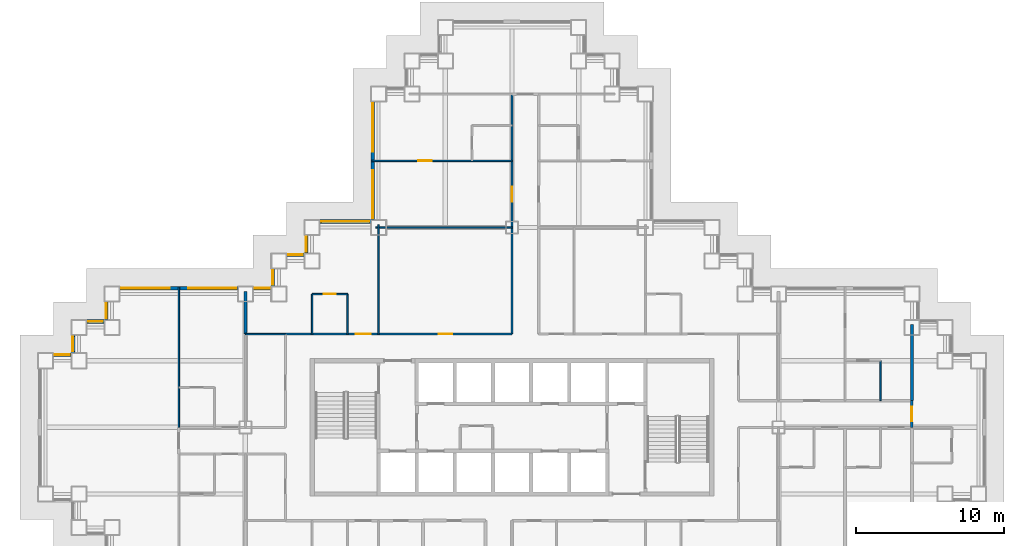
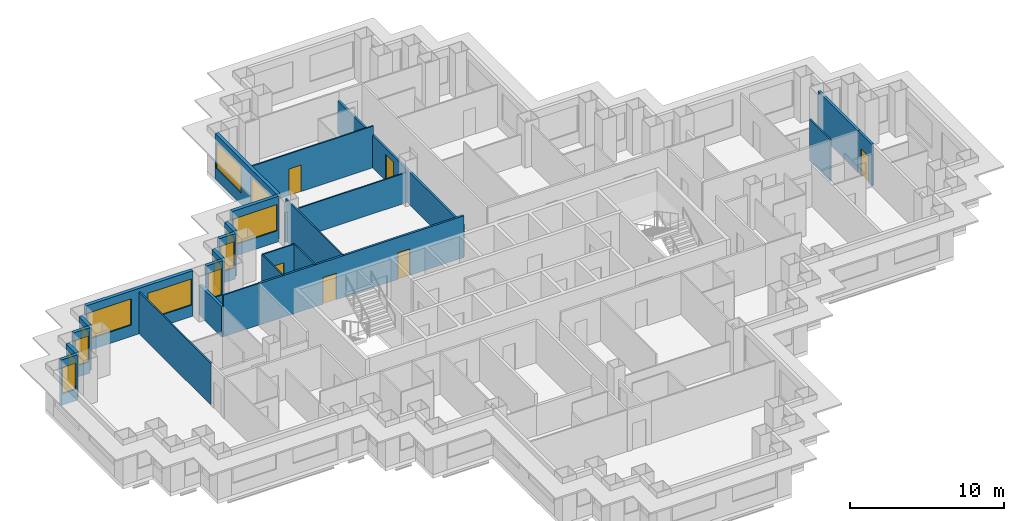
# One storey, part 7 of 14: 25 walls, 13 windows, 6 doors, 19 openings.
"""IFC4 building model written with IfcOpenShell, lengths in metres."""

from ifc_helpers import new_model, si_unit, direction, frame, frame_2d, origin, place, context, subcontext, project, spatial, rectangle, extrude, material, layer, layer_set, type_object, element, fill, save


model = new_model("IFC4")

# Units and contexts
model_context = context("Model", 3, precision=1e-05, world=origin(), true_north=direction((0.0, 1.0)))
body_context = subcontext(model_context, "Body", "Model", "MODEL_VIEW")
ifc_project = project(units=[si_unit("LENGTHUNIT", "METRE"), si_unit("AREAUNIT", "SQUARE_METRE"), si_unit("VOLUMEUNIT", "CUBIC_METRE"), si_unit("PLANEANGLEUNIT", "RADIAN"), si_unit("MASSUNIT", "GRAM", prefix="KILO")], contexts=[model_context])

# Site, building, storey
site_placement = place(None, origin())
site = spatial("IfcSite", under=ifc_project, at=site_placement, CompositionType="ELEMENT")
building_placement = place(site_placement, origin())
building = spatial("IfcBuilding", under=site, at=building_placement, Name="Caravel Reach Hotel and Residences", CompositionType="ELEMENT")
storey_placement = place(building_placement, frame((0.0, 0.0, 37.199951171875)))
storey = spatial("IfcBuildingStorey", under=building, at=storey_placement, Name="L07", CompositionType="ELEMENT", Elevation=37.199951171875)

# Wall, opening, door
ifc_material_1 = material(Name="Gypsum board on steel stud", Category="steel")
ifc_layer_1 = layer(ifc_material_1, 0.10009765625)
ifc_layer_set_1 = layer_set([ifc_layer_1], Name="Bathroom pod wall 100 mm")
wall_type_1 = type_object("IfcWallType", Name="Bathroom pod wall 100 mm", PredefinedType="PARTITIONING", material=ifc_layer_set_1)
wall_1_placement = place(storey_placement, frame((18.0, 36.0, 0.0), z_axis=(0.0, 0.0, 1.0), x_axis=(1.0, 0.0, 0.0)))
wall_1 = element("IfcWall", 1, at=wall_1_placement, inside=storey, type_object=wall_type_1, Name="L07 wall w085", PredefinedType="PARTITIONING", context=body_context, shape_type="SweptSolid", body=[
    extrude(rectangle(XDim=2.39990234375, YDim=0.10009765625, at=frame_2d((1.199951171875, 0.0))), origin(), (0.0, 0.0, 1.0), 3.300048828125),
])
opening_1_placement = place(wall_1_placement, frame((0.800048828125, 0.0, 0.0)))
opening_1 = element("IfcOpeningElement", 2, at=opening_1_placement, cuts=wall_1, Name="Opening D07-042", PredefinedType="OPENING", context=body_context, shape_type="SweptSolid", body=[
    extrude(rectangle(XDim=0.800048828125, YDim=2.10009765625, at=frame_2d((0.39990234375, 1.050048828125))), frame((0.0, 0.06005859375, 0.0), z_axis=(0.0, -1.0, 0.0), x_axis=(1.0, 0.0, 0.0)), (0.0, 0.0, 1.0), 0.1201171875),
])
ifc_material_2 = material(Name="Timber and steel door leaf", Category="steel")
door_type_1 = type_object("IfcDoorType", Name="Bathroom door 800 x 2100", OperationType="SINGLE_SWING_LEFT", PredefinedType="DOOR", material=ifc_material_2)
door_1_placement = place(opening_1_placement, origin())
door_1 = element("IfcDoor", 3, at=door_1_placement, inside=storey, type_object=door_type_1, Name="door D07-042", OperationType="SINGLE_SWING_LEFT", OverallHeight=2.10009765625, OverallWidth=0.800048828125, PredefinedType="DOOR", context=body_context, shape_type="SweptSolid", body=[
    extrude(rectangle(XDim=0.800048828125, YDim=2.10009765625, at=frame_2d((0.39990234375, 1.050048828125))), frame((0.0, 0.02490234375, 0.0), z_axis=(0.0, -1.0, 0.0), x_axis=(1.0, 0.0, 0.0)), (0.0, 0.0, 1.0), 0.050048828125),
])
fill(opening_1, door_1)

# Walls
for number, where, z_axis, x_axis, name in (
    (4, (18.0, 33.300048828125, 0.0), (0.0, 0.0, 1.0), (0.0, 1.0, 0.0), "L07 wall w091"),
    (5, (20.39990234375, 33.300048828125, 0.0), (0.0, 0.0, 1.0), (0.0, 1.0, 0.0), "L07 wall w093"),
    (6, (56.39990234375, 28.800048828125, 0.0), (0.0, 0.0, 1.0), (0.0, 1.0, 0.0), "L07 wall w103"),
):
    element("IfcWall", number, at=place(storey_placement, frame(where, z_axis=z_axis, x_axis=x_axis)), inside=storey, type_object=wall_type_1, Name=name, PredefinedType="PARTITIONING", context=body_context, shape_type="SweptSolid", body=[
        extrude(rectangle(XDim=2.699951171875, YDim=0.10009765625, at=frame_2d((1.35009765625, 0.0))), origin(), (0.0, 0.0, 1.0), 3.300048828125),
    ])

# Wall, openings, doors
ifc_material_3 = material(Name="Gypsum board on steel stud, fire-rated", Category="steel")
ifc_layer_2 = layer(ifc_material_3, 0.14990234375)
ifc_layer_set_2 = layer_set([ifc_layer_2], Name="Corridor wall 150 mm EI 60")
wall_type_2 = type_object("IfcWallType", Name="Corridor wall 150 mm EI 60", PredefinedType="PARTITIONING", material=ifc_layer_set_2)
wall_2_placement = place(storey_placement, frame((16.199951171875, 33.300048828125, 0.0), z_axis=(0.0, 0.0, 1.0), x_axis=(1.0, 0.0, 0.0)))
wall_2 = element("IfcWall", 7, at=wall_2_placement, inside=storey, type_object=wall_type_2, Name="L07 wall w016", PredefinedType="PARTITIONING", context=body_context, shape_type="SweptSolid", body=[
    extrude(rectangle(XDim=15.300048828125, YDim=0.14990234375, at=frame_2d((7.64990234375, 0.0))), origin(), (0.0, 0.0, 1.0), 3.300048828125),
])
opening_2_placement = place(wall_2_placement, frame((4.75, 0.0, 0.0)))
opening_2 = element("IfcOpeningElement", 8, at=opening_2_placement, cuts=wall_2, Name="Opening D07-041", PredefinedType="OPENING", context=body_context, shape_type="SweptSolid", body=[
    extrude(rectangle(XDim=1.0, YDim=2.10009765625, at=frame_2d((0.5, 1.050048828125))), frame((0.0, 0.0849609375, 0.0), z_axis=(0.0, -1.0, 0.0), x_axis=(1.0, 0.0, 0.0)), (0.0, 0.0, 1.0), 0.169921875),
])
opening_3_placement = place(wall_2_placement, frame((10.35009765625, 0.0, 0.0)))
opening_3 = element("IfcOpeningElement", 9, at=opening_3_placement, cuts=wall_2, Name="Opening D07-049", PredefinedType="OPENING", context=body_context, shape_type="SweptSolid", body=[
    extrude(rectangle(XDim=0.89990234375, YDim=2.10009765625, at=frame_2d((0.449951171875, 1.050048828125))), frame((0.0, 0.0849609375, 0.0), z_axis=(0.0, -1.0, 0.0), x_axis=(1.0, 0.0, 0.0)), (0.0, 0.0, 1.0), 0.169921875),
])
ifc_material_4 = material(Name="Timber and steel door leaf", Category="steel")
door_type_2 = type_object("IfcDoorType", Name="Door 900 x 2100 timber", OperationType="SINGLE_SWING_LEFT", PredefinedType="DOOR", material=ifc_material_4)
door_2_placement = place(opening_3_placement, origin())
door_2 = element("IfcDoor", 10, at=door_2_placement, inside=storey, type_object=door_type_2, Name="door D07-049", OperationType="SINGLE_SWING_LEFT", OverallHeight=2.10009765625, OverallWidth=0.89990234375, PredefinedType="DOOR", context=body_context, shape_type="SweptSolid", body=[
    extrude(rectangle(XDim=0.89990234375, YDim=2.10009765625, at=frame_2d((0.449951171875, 1.050048828125))), frame((0.0, 0.02490234375, 0.0), z_axis=(0.0, -1.0, 0.0), x_axis=(1.0, 0.0, 0.0)), (0.0, 0.0, 1.0), 0.050048828125),
])
fill(opening_3, door_2)
ifc_material_5 = material(Name="Steel fire door leaf", Category="steel")
door_type_3 = type_object("IfcDoorType", Name="Guest room door 1000 x 2100 EI 30", OperationType="SINGLE_SWING_LEFT", PredefinedType="DOOR", material=ifc_material_5)
door_3_placement = place(opening_2_placement, origin())
door_3 = element("IfcDoor", 11, at=door_3_placement, inside=storey, type_object=door_type_3, Name="door D07-041", OperationType="SINGLE_SWING_RIGHT", OverallHeight=2.10009765625, OverallWidth=1.0, PredefinedType="DOOR", context=body_context, shape_type="SweptSolid", body=[
    extrude(rectangle(XDim=1.0, YDim=2.10009765625, at=frame_2d((0.5, 1.050048828125))), frame((0.0, 0.02490234375, 0.0), z_axis=(0.0, -1.0, 0.0), x_axis=(1.0, 0.0, 0.0)), (0.0, 0.0, 1.0), 0.050048828125),
])
fill(opening_2, door_3)

# Wall, opening, door
wall_3_placement = place(storey_placement, frame((31.5, 33.300048828125, 0.0), z_axis=(0.0, 0.0, 1.0), x_axis=(0.0, 1.0, 0.0)))
wall_3 = element("IfcWall", 12, at=wall_3_placement, inside=storey, type_object=wall_type_2, Name="L07 wall w027", PredefinedType="PARTITIONING", context=body_context, shape_type="SweptSolid", body=[
    extrude(rectangle(XDim=16.199951171875, YDim=0.14990234375, at=frame_2d((8.10009765625, 0.0))), origin(), (0.0, 0.0, 1.0), 2.580078125),
])
opening_4_placement = place(wall_3_placement, frame((8.949951171875, 0.0, 0.0)))
opening_4 = element("IfcOpeningElement", 13, at=opening_4_placement, cuts=wall_3, Name="Opening D07-026", PredefinedType="OPENING", context=body_context, shape_type="SweptSolid", body=[
    extrude(rectangle(XDim=1.0, YDim=2.10009765625, at=frame_2d((0.5, 1.050048828125))), frame((0.0, 0.0849609375, 0.0), z_axis=(0.0, -1.0, 0.0), x_axis=(1.0, 0.0, 0.0)), (0.0, 0.0, 1.0), 0.169921875),
])
door_4_placement = place(opening_4_placement, origin())
door_4 = element("IfcDoor", 14, at=door_4_placement, inside=storey, type_object=door_type_3, Name="door D07-026", OperationType="SINGLE_SWING_LEFT", OverallHeight=2.10009765625, OverallWidth=1.0, PredefinedType="DOOR", context=body_context, shape_type="SweptSolid", body=[
    extrude(rectangle(XDim=1.0, YDim=2.10009765625, at=frame_2d((0.5, 1.050048828125))), frame((0.0, 0.02490234375, 0.0), z_axis=(0.0, -1.0, 0.0), x_axis=(1.0, 0.0, 0.0)), (0.0, 0.0, 1.0), 0.050048828125),
])
fill(opening_4, door_4)

wall_4_placement = place(storey_placement, frame((58.5, 27.0, 0.0), z_axis=(0.0, 0.0, 1.0), x_axis=(0.0, 1.0, 0.0)))
wall_4 = element("IfcWall", 15, at=wall_4_placement, inside=storey, type_object=wall_type_2, Name="L07 wall w036", PredefinedType="PARTITIONING", context=body_context, shape_type="SweptSolid", body=[
    extrude(rectangle(XDim=1.800048828125, YDim=0.14990234375, at=frame_2d((0.89990234375, 0.0))), origin(), (0.0, 0.0, 1.0), 3.300048828125),
])
opening_5_placement = place(wall_4_placement, frame((0.39990234375, 0.0, 0.0)))
opening_5 = element("IfcOpeningElement", 16, at=opening_5_placement, cuts=wall_4, Name="Opening D07-037", PredefinedType="OPENING", context=body_context, shape_type="SweptSolid", body=[
    extrude(rectangle(XDim=1.0, YDim=2.10009765625, at=frame_2d((0.5, 1.050048828125))), frame((0.0, 0.0849609375, 0.0), z_axis=(0.0, -1.0, 0.0), x_axis=(1.0, 0.0, 0.0)), (0.0, 0.0, 1.0), 0.169921875),
])
door_5_placement = place(opening_5_placement, origin())
door_5 = element("IfcDoor", 17, at=door_5_placement, inside=storey, type_object=door_type_3, Name="door D07-037", OperationType="SINGLE_SWING_LEFT", OverallHeight=2.10009765625, OverallWidth=1.0, PredefinedType="DOOR", context=body_context, shape_type="SweptSolid", body=[
    extrude(rectangle(XDim=1.0, YDim=2.10009765625, at=frame_2d((0.5, 1.050048828125))), frame((0.0, 0.02490234375, 0.0), z_axis=(0.0, -1.0, 0.0), x_axis=(1.0, 0.0, 0.0)), (0.0, 0.0, 1.0), 0.050048828125),
])
fill(opening_5, door_5)

# Wall, openings, windows
ifc_material_6 = material(Name="Insulated rainscreen wall, aluminium cladding", Category="aluminium")
ifc_layer_3 = layer(ifc_material_6, 0.25)
ifc_layer_set_3 = layer_set([ifc_layer_3], Name="EW1 Tower rainscreen wall")
wall_type_3 = type_object("IfcWallType", Name="EW1 Tower rainscreen wall", PredefinedType="SOLIDWALL", material=ifc_layer_set_3)
wall_5_placement = place(storey_placement, frame((22.10009765625, 48.97509765625, 0.0), z_axis=(0.0, 0.0, 1.0), x_axis=(0.0, -1.0, 0.0)))
wall_5 = element("IfcWall", 18, at=wall_5_placement, inside=storey, type_object=wall_type_3, Name="External wall L07 W40.1", PredefinedType="SOLIDWALL", context=body_context, shape_type="SweptSolid", body=[
    extrude(rectangle(XDim=7.9501953125, YDim=0.25, at=frame_2d((3.97509765625, 0.0))), origin(), (0.0, 0.0, 1.0), 3.60009765625),
])
opening_6_placement = place(wall_5_placement, frame((0.10009765625, 0.0, 0.89990234375)))
opening_6 = element("IfcOpeningElement", 19, at=opening_6_placement, cuts=wall_5, Name="Opening WN2", PredefinedType="OPENING", context=body_context, shape_type="SweptSolid", body=[
    extrude(rectangle(XDim=3.25, YDim=2.080078125, at=frame_2d((1.625, 1.0400390625))), frame((0.0, 0.135009765625, 0.0), z_axis=(0.0, -1.0, 0.0), x_axis=(1.0, 0.0, 0.0)), (0.0, 0.0, 1.0), 0.27001953125),
])
opening_7_placement = place(wall_5_placement, frame((4.60009765625, 0.0, 0.89990234375)))
opening_7 = element("IfcOpeningElement", 20, at=opening_7_placement, cuts=wall_5, Name="Opening WN2", PredefinedType="OPENING", context=body_context, shape_type="SweptSolid", body=[
    extrude(rectangle(XDim=3.25, YDim=2.080078125, at=frame_2d((1.625, 1.0400390625))), frame((0.0, 0.135009765625, 0.0), z_axis=(0.0, -1.0, 0.0), x_axis=(1.0, 0.0, 0.0)), (0.0, 0.0, 1.0), 0.27001953125),
])
ifc_material_7 = material(Name="Dark low-e glazing in black aluminium frame", Category="aluminium")
window_type_1 = type_object("IfcWindowType", Name="Hotel guest room window 3250 x 2080", PartitioningType="SINGLE_PANEL", PredefinedType="WINDOW", material=ifc_material_7)
window_1_placement = place(opening_6_placement, origin())
window_1 = element("IfcWindow", 21, at=window_1_placement, inside=storey, type_object=window_type_1, Name="Window L07 W40.1.1", OverallHeight=2.080078125, OverallWidth=3.25, PartitioningType="SINGLE_PANEL", PredefinedType="WINDOW", context=body_context, shape_type="SweptSolid", body=[
    extrude(rectangle(XDim=3.25, YDim=2.080078125, at=frame_2d((1.625, 1.0400390625))), frame((0.0, 0.030029296875, 0.0), z_axis=(0.0, -1.0, 0.0), x_axis=(1.0, 0.0, 0.0)), (0.0, 0.0, 1.0), 0.06005859375),
])
fill(opening_6, window_1)
window_2_placement = place(opening_7_placement, origin())
window_2 = element("IfcWindow", 22, at=window_2_placement, inside=storey, type_object=window_type_1, Name="Window L07 W40.1.2", OverallHeight=2.080078125, OverallWidth=3.25, PartitioningType="SINGLE_PANEL", PredefinedType="WINDOW", context=body_context, shape_type="SweptSolid", body=[
    extrude(rectangle(XDim=3.25, YDim=2.080078125, at=frame_2d((1.625, 1.0400390625))), frame((0.0, 0.030029296875, 0.0), z_axis=(0.0, -1.0, 0.0), x_axis=(1.0, 0.0, 0.0)), (0.0, 0.0, 1.0), 0.06005859375),
])
fill(opening_7, window_2)

# Wall, opening, window
wall_6_placement = place(storey_placement, frame((21.97509765625, 40.89990234375, 0.0), z_axis=(0.0, 0.0, 1.0), x_axis=(-1.0, 0.0, 0.0)))
wall_6 = element("IfcWall", 23, at=wall_6_placement, inside=storey, type_object=wall_type_3, Name="External wall L07 N41.1", PredefinedType="SOLIDWALL", context=body_context, shape_type="SweptSolid", body=[
    extrude(rectangle(XDim=3.4501953125, YDim=0.25, at=frame_2d((1.72509765625, 0.0))), origin(), (0.0, 0.0, 1.0), 3.60009765625),
])
opening_8_placement = place(wall_6_placement, frame((0.10009765625, 0.0, 0.89990234375)))
opening_8 = element("IfcOpeningElement", 24, at=opening_8_placement, cuts=wall_6, Name="Opening WN2", PredefinedType="OPENING", context=body_context, shape_type="SweptSolid", body=[
    extrude(rectangle(XDim=3.25, YDim=2.080078125, at=frame_2d((1.625, 1.0400390625))), frame((0.0, 0.135009765625, 0.0), z_axis=(0.0, -1.0, 0.0), x_axis=(1.0, 0.0, 0.0)), (0.0, 0.0, 1.0), 0.27001953125),
])
window_3_placement = place(opening_8_placement, origin())
window_3 = element("IfcWindow", 25, at=window_3_placement, inside=storey, type_object=window_type_1, Name="Window L07 N41.1.1", OverallHeight=2.080078125, OverallWidth=3.25, PartitioningType="SINGLE_PANEL", PredefinedType="WINDOW", context=body_context, shape_type="SweptSolid", body=[
    extrude(rectangle(XDim=3.25, YDim=2.080078125, at=frame_2d((1.625, 1.0400390625))), frame((0.0, 0.030029296875, 0.0), z_axis=(0.0, -1.0, 0.0), x_axis=(1.0, 0.0, 0.0)), (0.0, 0.0, 1.0), 0.06005859375),
])
fill(opening_8, window_3)

wall_7_placement = place(storey_placement, frame((17.60009765625, 39.97509765625, 0.0), z_axis=(0.0, 0.0, 1.0), x_axis=(0.0, -1.0, 0.0)))
wall_7 = element("IfcWall", 26, at=wall_7_placement, inside=storey, type_object=wall_type_3, Name="External wall L07 W42.1", PredefinedType="SOLIDWALL", context=body_context, shape_type="SweptSolid", body=[
    extrude(rectangle(XDim=1.2001953125, YDim=0.25, at=frame_2d((0.60009765625, 0.0))), origin(), (0.0, 0.0, 1.0), 3.60009765625),
])
opening_9_placement = place(wall_7_placement, frame((0.10009765625, 0.0, 0.89990234375)))
opening_9 = element("IfcOpeningElement", 27, at=opening_9_placement, cuts=wall_7, Name="Opening WN1", PredefinedType="OPENING", context=body_context, shape_type="SweptSolid", body=[
    extrude(rectangle(XDim=1.0, YDim=2.080078125, at=frame_2d((0.5, 1.0400390625))), frame((0.0, 0.135009765625, 0.0), z_axis=(0.0, -1.0, 0.0), x_axis=(1.0, 0.0, 0.0)), (0.0, 0.0, 1.0), 0.27001953125),
])
ifc_material_8 = material(Name="Dark low-e glazing in black aluminium frame", Category="aluminium")
window_type_2 = type_object("IfcWindowType", Name="Hotel suite corner window 1000 x 2080", PartitioningType="SINGLE_PANEL", PredefinedType="WINDOW", material=ifc_material_8)
window_4_placement = place(opening_9_placement, origin())
window_4 = element("IfcWindow", 28, at=window_4_placement, inside=storey, type_object=window_type_2, Name="Window L07 W42.1.1", OverallHeight=2.080078125, OverallWidth=1.0, PartitioningType="SINGLE_PANEL", PredefinedType="WINDOW", context=body_context, shape_type="SweptSolid", body=[
    extrude(rectangle(XDim=1.0, YDim=2.080078125, at=frame_2d((0.5, 1.0400390625))), frame((0.0, 0.030029296875, 0.0), z_axis=(0.0, -1.0, 0.0), x_axis=(1.0, 0.0, 0.0)), (0.0, 0.0, 1.0), 0.06005859375),
])
fill(opening_9, window_4)

wall_8_placement = place(storey_placement, frame((17.47509765625, 38.64990234375, 0.0), z_axis=(0.0, 0.0, 1.0), x_axis=(-1.0, 0.0, 0.0)))
wall_8 = element("IfcWall", 29, at=wall_8_placement, inside=storey, type_object=wall_type_3, Name="External wall L07 N43.1", PredefinedType="SOLIDWALL", context=body_context, shape_type="SweptSolid", body=[
    extrude(rectangle(XDim=1.2001953125, YDim=0.25, at=frame_2d((0.60009765625, 0.0))), origin(), (0.0, 0.0, 1.0), 3.60009765625),
])
opening_10_placement = place(wall_8_placement, frame((0.10009765625, 0.0, 0.89990234375)))
opening_10 = element("IfcOpeningElement", 30, at=opening_10_placement, cuts=wall_8, Name="Opening WN1", PredefinedType="OPENING", context=body_context, shape_type="SweptSolid", body=[
    extrude(rectangle(XDim=1.0, YDim=2.080078125, at=frame_2d((0.5, 1.0400390625))), frame((0.0, 0.135009765625, 0.0), z_axis=(0.0, -1.0, 0.0), x_axis=(1.0, 0.0, 0.0)), (0.0, 0.0, 1.0), 0.27001953125),
])
window_5_placement = place(opening_10_placement, origin())
window_5 = element("IfcWindow", 31, at=window_5_placement, inside=storey, type_object=window_type_2, Name="Window L07 N43.1.1", OverallHeight=2.080078125, OverallWidth=1.0, PartitioningType="SINGLE_PANEL", PredefinedType="WINDOW", context=body_context, shape_type="SweptSolid", body=[
    extrude(rectangle(XDim=1.0, YDim=2.080078125, at=frame_2d((0.5, 1.0400390625))), frame((0.0, 0.030029296875, 0.0), z_axis=(0.0, -1.0, 0.0), x_axis=(1.0, 0.0, 0.0)), (0.0, 0.0, 1.0), 0.06005859375),
])
fill(opening_10, window_5)

wall_9_placement = place(storey_placement, frame((15.35009765625, 37.72509765625, 0.0), z_axis=(0.0, 0.0, 1.0), x_axis=(0.0, -1.0, 0.0)))
wall_9 = element("IfcWall", 32, at=wall_9_placement, inside=storey, type_object=wall_type_3, Name="External wall L07 W44.1", PredefinedType="SOLIDWALL", context=body_context, shape_type="SweptSolid", body=[
    extrude(rectangle(XDim=1.2001953125, YDim=0.25, at=frame_2d((0.60009765625, 0.0))), origin(), (0.0, 0.0, 1.0), 3.60009765625),
])
opening_11_placement = place(wall_9_placement, frame((0.10009765625, 0.0, 0.89990234375)))
opening_11 = element("IfcOpeningElement", 33, at=opening_11_placement, cuts=wall_9, Name="Opening WN1", PredefinedType="OPENING", context=body_context, shape_type="SweptSolid", body=[
    extrude(rectangle(XDim=1.0, YDim=2.080078125, at=frame_2d((0.5, 1.0400390625))), frame((0.0, 0.135009765625, 0.0), z_axis=(0.0, -1.0, 0.0), x_axis=(1.0, 0.0, 0.0)), (0.0, 0.0, 1.0), 0.27001953125),
])
window_6_placement = place(opening_11_placement, origin())
window_6 = element("IfcWindow", 34, at=window_6_placement, inside=storey, type_object=window_type_2, Name="Window L07 W44.1.1", OverallHeight=2.080078125, OverallWidth=1.0, PartitioningType="SINGLE_PANEL", PredefinedType="WINDOW", context=body_context, shape_type="SweptSolid", body=[
    extrude(rectangle(XDim=1.0, YDim=2.080078125, at=frame_2d((0.5, 1.0400390625))), frame((0.0, 0.030029296875, 0.0), z_axis=(0.0, -1.0, 0.0), x_axis=(1.0, 0.0, 0.0)), (0.0, 0.0, 1.0), 0.06005859375),
])
fill(opening_11, window_6)

wall_10_placement = place(storey_placement, frame((15.22509765625, 36.39990234375, 0.0), z_axis=(0.0, 0.0, 1.0), x_axis=(-1.0, 0.0, 0.0)))
wall_10 = element("IfcWall", 35, at=wall_10_placement, inside=storey, type_object=wall_type_3, Name="External wall L07 N45.1", PredefinedType="SOLIDWALL", context=body_context, shape_type="SweptSolid", body=[
    extrude(rectangle(XDim=1.2001953125, YDim=0.25, at=frame_2d((0.60009765625, 0.0))), origin(), (0.0, 0.0, 1.0), 3.60009765625),
])
opening_12_placement = place(wall_10_placement, frame((0.10009765625, 0.0, 0.89990234375)))
opening_12 = element("IfcOpeningElement", 36, at=opening_12_placement, cuts=wall_10, Name="Opening WN1", PredefinedType="OPENING", context=body_context, shape_type="SweptSolid", body=[
    extrude(rectangle(XDim=1.0, YDim=2.080078125, at=frame_2d((0.5, 1.0400390625))), frame((0.0, 0.135009765625, 0.0), z_axis=(0.0, -1.0, 0.0), x_axis=(1.0, 0.0, 0.0)), (0.0, 0.0, 1.0), 0.27001953125),
])
window_7_placement = place(opening_12_placement, origin())
window_7 = element("IfcWindow", 37, at=window_7_placement, inside=storey, type_object=window_type_2, Name="Window L07 N45.1.1", OverallHeight=2.080078125, OverallWidth=1.0, PartitioningType="SINGLE_PANEL", PredefinedType="WINDOW", context=body_context, shape_type="SweptSolid", body=[
    extrude(rectangle(XDim=1.0, YDim=2.080078125, at=frame_2d((0.5, 1.0400390625))), frame((0.0, 0.030029296875, 0.0), z_axis=(0.0, -1.0, 0.0), x_axis=(1.0, 0.0, 0.0)), (0.0, 0.0, 1.0), 0.06005859375),
])
fill(opening_12, window_7)

# Wall, openings, windows
wall_11_placement = place(storey_placement, frame((12.97509765625, 36.39990234375, 0.0), z_axis=(0.0, 0.0, 1.0), x_axis=(-1.0, 0.0, 0.0)))
wall_11 = element("IfcWall", 38, at=wall_11_placement, inside=storey, type_object=wall_type_3, Name="External wall L07 N45.2", PredefinedType="SOLIDWALL", context=body_context, shape_type="SweptSolid", body=[
    extrude(rectangle(XDim=7.9501953125, YDim=0.25, at=frame_2d((3.97509765625, 0.0))), origin(), (0.0, 0.0, 1.0), 3.60009765625),
])
opening_13_placement = place(wall_11_placement, frame((0.10009765625, 0.0, 0.89990234375)))
opening_13 = element("IfcOpeningElement", 39, at=opening_13_placement, cuts=wall_11, Name="Opening WN2", PredefinedType="OPENING", context=body_context, shape_type="SweptSolid", body=[
    extrude(rectangle(XDim=3.25, YDim=2.080078125, at=frame_2d((1.625, 1.0400390625))), frame((0.0, 0.135009765625, 0.0), z_axis=(0.0, -1.0, 0.0), x_axis=(1.0, 0.0, 0.0)), (0.0, 0.0, 1.0), 0.27001953125),
])
opening_14_placement = place(wall_11_placement, frame((4.60009765625, 0.0, 0.89990234375)))
opening_14 = element("IfcOpeningElement", 40, at=opening_14_placement, cuts=wall_11, Name="Opening WN2", PredefinedType="OPENING", context=body_context, shape_type="SweptSolid", body=[
    extrude(rectangle(XDim=3.25, YDim=2.080078125, at=frame_2d((1.625, 1.0400390625))), frame((0.0, 0.135009765625, 0.0), z_axis=(0.0, -1.0, 0.0), x_axis=(1.0, 0.0, 0.0)), (0.0, 0.0, 1.0), 0.27001953125),
])
window_8_placement = place(opening_13_placement, origin())
window_8 = element("IfcWindow", 41, at=window_8_placement, inside=storey, type_object=window_type_1, Name="Window L07 N45.2.1", OverallHeight=2.080078125, OverallWidth=3.25, PartitioningType="SINGLE_PANEL", PredefinedType="WINDOW", context=body_context, shape_type="SweptSolid", body=[
    extrude(rectangle(XDim=3.25, YDim=2.080078125, at=frame_2d((1.625, 1.0400390625))), frame((0.0, 0.030029296875, 0.0), z_axis=(0.0, -1.0, 0.0), x_axis=(1.0, 0.0, 0.0)), (0.0, 0.0, 1.0), 0.06005859375),
])
fill(opening_13, window_8)
window_9_placement = place(opening_14_placement, origin())
window_9 = element("IfcWindow", 42, at=window_9_placement, inside=storey, type_object=window_type_1, Name="Window L07 N45.2.2", OverallHeight=2.080078125, OverallWidth=3.25, PartitioningType="SINGLE_PANEL", PredefinedType="WINDOW", context=body_context, shape_type="SweptSolid", body=[
    extrude(rectangle(XDim=3.25, YDim=2.080078125, at=frame_2d((1.625, 1.0400390625))), frame((0.0, 0.030029296875, 0.0), z_axis=(0.0, -1.0, 0.0), x_axis=(1.0, 0.0, 0.0)), (0.0, 0.0, 1.0), 0.06005859375),
])
fill(opening_14, window_9)

# Wall, opening, window
wall_12_placement = place(storey_placement, frame((4.10009765625, 35.47509765625, 0.0), z_axis=(0.0, 0.0, 1.0), x_axis=(0.0, -1.0, 0.0)))
wall_12 = element("IfcWall", 43, at=wall_12_placement, inside=storey, type_object=wall_type_3, Name="External wall L07 W46.1", PredefinedType="SOLIDWALL", context=body_context, shape_type="SweptSolid", body=[
    extrude(rectangle(XDim=1.2001953125, YDim=0.25, at=frame_2d((0.60009765625, 0.0))), origin(), (0.0, 0.0, 1.0), 3.60009765625),
])
opening_15_placement = place(wall_12_placement, frame((0.10009765625, 0.0, 0.89990234375)))
opening_15 = element("IfcOpeningElement", 44, at=opening_15_placement, cuts=wall_12, Name="Opening WN1", PredefinedType="OPENING", context=body_context, shape_type="SweptSolid", body=[
    extrude(rectangle(XDim=1.0, YDim=2.080078125, at=frame_2d((0.5, 1.0400390625))), frame((0.0, 0.135009765625, 0.0), z_axis=(0.0, -1.0, 0.0), x_axis=(1.0, 0.0, 0.0)), (0.0, 0.0, 1.0), 0.27001953125),
])
window_10_placement = place(opening_15_placement, origin())
window_10 = element("IfcWindow", 45, at=window_10_placement, inside=storey, type_object=window_type_2, Name="Window L07 W46.1.1", OverallHeight=2.080078125, OverallWidth=1.0, PartitioningType="SINGLE_PANEL", PredefinedType="WINDOW", context=body_context, shape_type="SweptSolid", body=[
    extrude(rectangle(XDim=1.0, YDim=2.080078125, at=frame_2d((0.5, 1.0400390625))), frame((0.0, 0.030029296875, 0.0), z_axis=(0.0, -1.0, 0.0), x_axis=(1.0, 0.0, 0.0)), (0.0, 0.0, 1.0), 0.06005859375),
])
fill(opening_15, window_10)

wall_13_placement = place(storey_placement, frame((3.97509765625, 34.14990234375, 0.0), z_axis=(0.0, 0.0, 1.0), x_axis=(-1.0, 0.0, 0.0)))
wall_13 = element("IfcWall", 46, at=wall_13_placement, inside=storey, type_object=wall_type_3, Name="External wall L07 N47.1", PredefinedType="SOLIDWALL", context=body_context, shape_type="SweptSolid", body=[
    extrude(rectangle(XDim=1.2001953125, YDim=0.25, at=frame_2d((0.60009765625, 0.0))), origin(), (0.0, 0.0, 1.0), 3.60009765625),
])
opening_16_placement = place(wall_13_placement, frame((0.10009765625, 0.0, 0.89990234375)))
opening_16 = element("IfcOpeningElement", 47, at=opening_16_placement, cuts=wall_13, Name="Opening WN1", PredefinedType="OPENING", context=body_context, shape_type="SweptSolid", body=[
    extrude(rectangle(XDim=1.0, YDim=2.080078125, at=frame_2d((0.5, 1.0400390625))), frame((0.0, 0.135009765625, 0.0), z_axis=(0.0, -1.0, 0.0), x_axis=(1.0, 0.0, 0.0)), (0.0, 0.0, 1.0), 0.27001953125),
])
window_11_placement = place(opening_16_placement, origin())
window_11 = element("IfcWindow", 48, at=window_11_placement, inside=storey, type_object=window_type_2, Name="Window L07 N47.1.1", OverallHeight=2.080078125, OverallWidth=1.0, PartitioningType="SINGLE_PANEL", PredefinedType="WINDOW", context=body_context, shape_type="SweptSolid", body=[
    extrude(rectangle(XDim=1.0, YDim=2.080078125, at=frame_2d((0.5, 1.0400390625))), frame((0.0, 0.030029296875, 0.0), z_axis=(0.0, -1.0, 0.0), x_axis=(1.0, 0.0, 0.0)), (0.0, 0.0, 1.0), 0.06005859375),
])
fill(opening_16, window_11)

wall_14_placement = place(storey_placement, frame((1.85009765625, 33.22509765625, 0.0), z_axis=(0.0, 0.0, 1.0), x_axis=(0.0, -1.0, 0.0)))
wall_14 = element("IfcWall", 49, at=wall_14_placement, inside=storey, type_object=wall_type_3, Name="External wall L07 W48.1", PredefinedType="SOLIDWALL", context=body_context, shape_type="SweptSolid", body=[
    extrude(rectangle(XDim=1.2001953125, YDim=0.25, at=frame_2d((0.60009765625, 0.0))), origin(), (0.0, 0.0, 1.0), 3.60009765625),
])
opening_17_placement = place(wall_14_placement, frame((0.10009765625, 0.0, 0.89990234375)))
opening_17 = element("IfcOpeningElement", 50, at=opening_17_placement, cuts=wall_14, Name="Opening WN1", PredefinedType="OPENING", context=body_context, shape_type="SweptSolid", body=[
    extrude(rectangle(XDim=1.0, YDim=2.080078125, at=frame_2d((0.5, 1.0400390625))), frame((0.0, 0.135009765625, 0.0), z_axis=(0.0, -1.0, 0.0), x_axis=(1.0, 0.0, 0.0)), (0.0, 0.0, 1.0), 0.27001953125),
])
window_12_placement = place(opening_17_placement, origin())
window_12 = element("IfcWindow", 51, at=window_12_placement, inside=storey, type_object=window_type_2, Name="Window L07 W48.1.1", OverallHeight=2.080078125, OverallWidth=1.0, PartitioningType="SINGLE_PANEL", PredefinedType="WINDOW", context=body_context, shape_type="SweptSolid", body=[
    extrude(rectangle(XDim=1.0, YDim=2.080078125, at=frame_2d((0.5, 1.0400390625))), frame((0.0, 0.030029296875, 0.0), z_axis=(0.0, -1.0, 0.0), x_axis=(1.0, 0.0, 0.0)), (0.0, 0.0, 1.0), 0.06005859375),
])
fill(opening_17, window_12)

wall_15_placement = place(storey_placement, frame((1.72509765625, 31.89990234375, 0.0), z_axis=(0.0, 0.0, 1.0), x_axis=(-1.0, 0.0, 0.0)))
wall_15 = element("IfcWall", 52, at=wall_15_placement, inside=storey, type_object=wall_type_3, Name="External wall L07 N49.1", PredefinedType="SOLIDWALL", context=body_context, shape_type="SweptSolid", body=[
    extrude(rectangle(XDim=1.2001953125, YDim=0.25, at=frame_2d((0.60009765625, 0.0))), origin(), (0.0, 0.0, 1.0), 3.60009765625),
])
opening_18_placement = place(wall_15_placement, frame((0.10009765625, 0.0, 0.89990234375)))
opening_18 = element("IfcOpeningElement", 53, at=opening_18_placement, cuts=wall_15, Name="Opening WN1", PredefinedType="OPENING", context=body_context, shape_type="SweptSolid", body=[
    extrude(rectangle(XDim=1.0, YDim=2.080078125, at=frame_2d((0.5, 1.0400390625))), frame((0.0, 0.135009765625, 0.0), z_axis=(0.0, -1.0, 0.0), x_axis=(1.0, 0.0, 0.0)), (0.0, 0.0, 1.0), 0.27001953125),
])
window_13_placement = place(opening_18_placement, origin())
window_13 = element("IfcWindow", 54, at=window_13_placement, inside=storey, type_object=window_type_2, Name="Window L07 N49.1.1", OverallHeight=2.080078125, OverallWidth=1.0, PartitioningType="SINGLE_PANEL", PredefinedType="WINDOW", context=body_context, shape_type="SweptSolid", body=[
    extrude(rectangle(XDim=1.0, YDim=2.080078125, at=frame_2d((0.5, 1.0400390625))), frame((0.0, 0.030029296875, 0.0), z_axis=(0.0, -1.0, 0.0), x_axis=(1.0, 0.0, 0.0)), (0.0, 0.0, 1.0), 0.06005859375),
])
fill(opening_18, window_13)

# Walls
ifc_material_9 = material(Name="Gypsum board on steel stud", Category="steel")
ifc_layer_4 = layer(ifc_material_9, 0.10009765625)
ifc_layer_set_4 = layer_set([ifc_layer_4], Name="Partition 100 mm")
wall_type_4 = type_object("IfcWallType", Name="Partition 100 mm", PredefinedType="PARTITIONING", material=ifc_layer_set_4)
wall_16_placement = place(storey_placement, frame((13.5, 33.300048828125, 0.0), z_axis=(0.0, 0.0, 1.0), x_axis=(1.0, 0.0, 0.0)))
element("IfcWall", 55, at=wall_16_placement, inside=storey, type_object=wall_type_4, Name="L07 wall w043", PredefinedType="PARTITIONING", context=body_context, shape_type="SweptSolid", body=[
    extrude(rectangle(XDim=2.699951171875, YDim=0.10009765625, at=frame_2d((1.35009765625, 0.0))), origin(), (0.0, 0.0, 1.0), 3.300048828125),
])
wall_17_placement = place(storey_placement, frame((22.31005859375, 40.5, 0.0), z_axis=(0.0, 0.0, 1.0), x_axis=(1.0, 0.0, 0.0)))
element("IfcWall", 56, at=wall_17_placement, inside=storey, type_object=wall_type_4, Name="L07 wall w047", PredefinedType="PARTITIONING", context=body_context, shape_type="SweptSolid", body=[
    extrude(rectangle(XDim=9.18994140625, YDim=0.10009765625, at=frame_2d((4.594970703125, 0.0))), origin(), (0.0, 0.0, 1.0), 2.380126953125),
])

# Wall, opening, door
wall_18_placement = place(storey_placement, frame((22.034912109375, 45.0, 0.0), z_axis=(0.0, 0.0, 1.0), x_axis=(1.0, 0.0, 0.0)))
wall_18 = element("IfcWall", 57, at=wall_18_placement, inside=storey, type_object=wall_type_4, Name="L07 wall w049", PredefinedType="PARTITIONING", context=body_context, shape_type="SweptSolid", body=[
    extrude(rectangle(XDim=9.465087890625, YDim=0.10009765625, at=frame_2d((4.732421875, 0.0))), origin(), (0.0, 0.0, 1.0), 3.300048828125),
])
opening_19_placement = place(wall_18_placement, frame((3.14990234375, 0.0, 0.0)))
opening_19 = element("IfcOpeningElement", 58, at=opening_19_placement, cuts=wall_18, Name="Opening D07-027", PredefinedType="OPENING", context=body_context, shape_type="SweptSolid", body=[
    extrude(rectangle(XDim=0.89990234375, YDim=2.10009765625, at=frame_2d((0.449951171875, 1.050048828125))), frame((0.0, 0.06005859375, 0.0), z_axis=(0.0, -1.0, 0.0), x_axis=(1.0, 0.0, 0.0)), (0.0, 0.0, 1.0), 0.1201171875),
])
door_6_placement = place(opening_19_placement, origin())
door_6 = element("IfcDoor", 59, at=door_6_placement, inside=storey, type_object=door_type_2, Name="door D07-027", OperationType="SINGLE_SWING_LEFT", OverallHeight=2.10009765625, OverallWidth=0.89990234375, PredefinedType="DOOR", context=body_context, shape_type="SweptSolid", body=[
    extrude(rectangle(XDim=0.89990234375, YDim=2.10009765625, at=frame_2d((0.449951171875, 1.050048828125))), frame((0.0, 0.02490234375, 0.0), z_axis=(0.0, -1.0, 0.0), x_axis=(1.0, 0.0, 0.0)), (0.0, 0.0, 1.0), 0.050048828125),
])
fill(opening_19, door_6)

# Walls
wall_19_placement = place(storey_placement, frame((22.5, 33.300048828125, 0.0), z_axis=(0.0, 0.0, 1.0), x_axis=(0.0, 1.0, 0.0)))
element("IfcWall", 60, at=wall_19_placement, inside=storey, type_object=wall_type_4, Name="L07 wall w056", PredefinedType="PARTITIONING", context=body_context, shape_type="SweptSolid", body=[
    extrude(rectangle(XDim=7.389892578125, YDim=0.10009765625, at=frame_2d((3.69482421875, 0.0))), origin(), (0.0, 0.0, 1.0), 3.300048828125),
])
wall_20_placement = place(storey_placement, frame((9.0, 27.0, 0.0), z_axis=(0.0, 0.0, 1.0), x_axis=(0.0, 1.0, 0.0)))
element("IfcWall", 61, at=wall_20_placement, inside=storey, type_object=wall_type_4, Name="L07 wall w065", PredefinedType="PARTITIONING", context=body_context, shape_type="SweptSolid", body=[
    extrude(rectangle(XDim=9.465087890625, YDim=0.10009765625, at=frame_2d((4.732421875, 0.0))), origin(), (0.0, 0.0, 1.0), 3.300048828125),
])
ifc_material_10 = material(Name="Autoclaved aerated block wall")
ifc_layer_5 = layer(ifc_material_10, 0.199951171875)
ifc_layer_set_5 = layer_set([ifc_layer_5], Name="Party wall 200 mm EI 60")
wall_type_5 = type_object("IfcWallType", Name="Party wall 200 mm EI 60", PredefinedType="PARTITIONING", material=ifc_layer_set_5)
wall_21_placement = place(storey_placement, frame((13.5, 33.300048828125, 0.0), z_axis=(0.0, 0.0, 1.0), x_axis=(0.0, 1.0, 0.0)))
element("IfcWall", 62, at=wall_21_placement, inside=storey, type_object=wall_type_5, Name="L07 wall w067", PredefinedType="PARTITIONING", context=body_context, shape_type="SweptSolid", body=[
    extrude(rectangle(XDim=2.889892578125, YDim=0.199951171875, at=frame_2d((1.44482421875, 0.0))), origin(), (0.0, 0.0, 1.0), 2.380126953125),
])
wall_22_placement = place(storey_placement, frame((58.5, 28.800048828125, 0.0), z_axis=(0.0, 0.0, 1.0), x_axis=(0.0, 1.0, 0.0)))
element("IfcWall", 63, at=wall_22_placement, inside=storey, type_object=wall_type_5, Name="L07 wall w073", PredefinedType="PARTITIONING", context=body_context, shape_type="SweptSolid", body=[
    extrude(rectangle(XDim=5.139892578125, YDim=0.199951171875, at=frame_2d((2.56982421875, 0.0))), origin(), (0.0, 0.0, 1.0), 3.300048828125),
])

save(model, "model.ifc")
